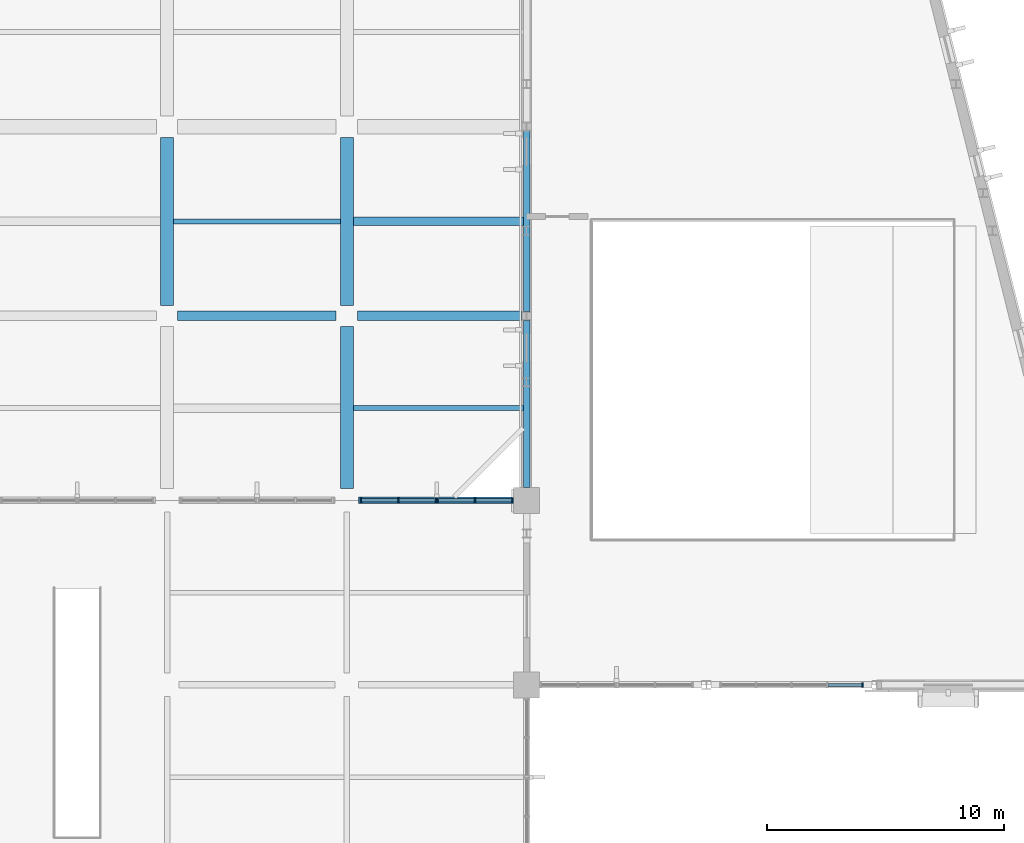
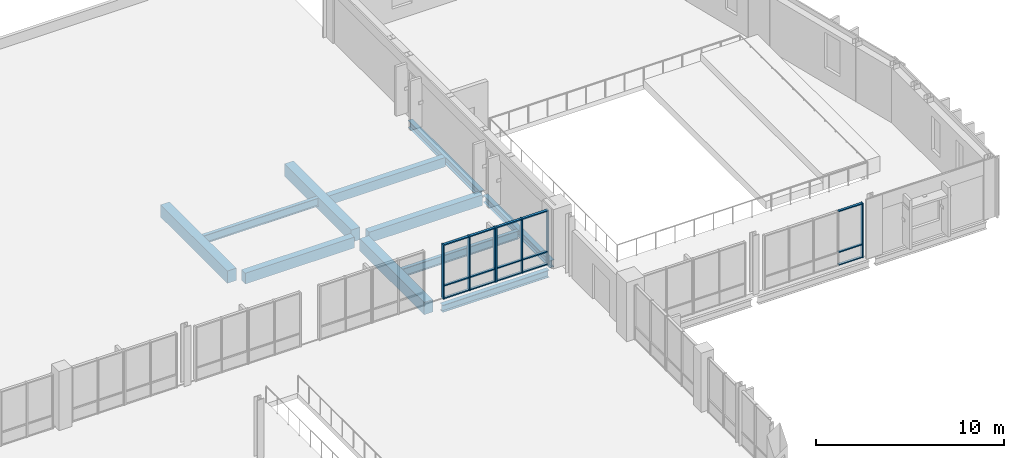
# One storey, part 41 of 85: 22 members, 11 beams, 3 elements without a shape of their own.
"""IFC4 building model written with IfcOpenShell, lengths in metres."""

from ifc_helpers import new_model, si_unit, direction, frame, origin, origin_2d, place, context, subcontext, project, spatial, rectangle, i_section, extrude, material, material_profile, profile_set, type_object, element, aggregate, save


model = new_model("IFC4")

# Units and contexts
model_context = context("Model", 3, precision=1e-05, world=origin(), true_north=direction((0.0, 1.0)))
body_context = subcontext(model_context, "Body", "Model", "MODEL_VIEW")
ifc_project = project(units=[si_unit("LENGTHUNIT", "METRE"), si_unit("AREAUNIT", "SQUARE_METRE"), si_unit("VOLUMEUNIT", "CUBIC_METRE"), si_unit("PLANEANGLEUNIT", "RADIAN"), si_unit("MASSUNIT", "GRAM", prefix="KILO")], contexts=[model_context])

# Site, building, storey
site_placement = place(None, origin())
site = spatial("IfcSite", under=ifc_project, at=site_placement, CompositionType="ELEMENT")
building_placement = place(site_placement, origin())
building = spatial("IfcBuilding", under=site, at=building_placement, Name="Vervanel Yard Central Library", CompositionType="ELEMENT")
storey_placement = place(building_placement, frame((0.0, 0.0, 5.10009765625)))
storey = spatial("IfcBuildingStorey", under=building, at=storey_placement, Name="L01", CompositionType="ELEMENT", Elevation=5.10009765625)

# Beams
ifc_material_1 = material(Name="Concrete C40/50", Category="concrete")
ifc_material_profile_1 = material_profile(ifc_material_1, rectangle(XDim=0.39990234375, YDim=0.699951171875, at=origin_2d()), Name="RC 400x700", Category="concrete")
ifc_profile_set_1 = profile_set([ifc_material_profile_1], Name="Concrete C40/50")
beam_type_1 = type_object("IfcBeamType", Name="Concrete Perimeter Spandrel 400x700", PredefinedType="SPANDREL", material=ifc_profile_set_1)
beam_1_placement = place(storey_placement, frame((131.25, 90.0, -0.60498046875), z_axis=(1.0, 0.0, 0.0), x_axis=(0.0, 1.0, 0.0)))
element("IfcBeam", 1, at=beam_1_placement, inside=storey, type_object=beam_type_1, Name="L01 Girder SP-01 Y=90.0 X=130.8-138.4", PredefinedType="SPANDREL", context=body_context, shape_type="SweptSolid", body=[
    extrude(rectangle(XDim=0.39990234375, YDim=0.699951171875, at=origin_2d()), origin(), (0.0, 0.0, 1.0), 6.699951171875),
])
beam_2_placement = place(storey_placement, frame((138.85009765625, 90.0, -0.60498046875), z_axis=(1.0, 0.0, 0.0), x_axis=(0.0, 1.0, 0.0)))
element("IfcBeam", 2, at=beam_2_placement, inside=storey, type_object=beam_type_1, Name="L01 Girder SP-01 Y=90.0 X=138.4-146.0", PredefinedType="SPANDREL", context=body_context, shape_type="SweptSolid", body=[
    extrude(rectangle(XDim=0.39990234375, YDim=0.699951171875, at=origin_2d()), origin(), (0.0, 0.0, 1.0), 6.951904296875),
])
ifc_material_profile_2 = material_profile(ifc_material_1, rectangle(XDim=0.550048828125, YDim=0.800048828125, at=origin_2d()), Name="RC 550x800", Category="concrete")
ifc_profile_set_2 = profile_set([ifc_material_profile_2], Name="Concrete C40/50")
beam_type_2 = type_object("IfcBeamType", Name="Concrete Primary Girder 550x800", PredefinedType="BEAM", material=ifc_profile_set_2)
beam_3_placement = place(storey_placement, frame((130.800048828125, 90.449951171875, -0.655029296875), z_axis=(0.0, 1.0, 0.0), x_axis=(-1.0, 0.0, 0.0)))
element("IfcBeam", 3, at=beam_3_placement, inside=storey, type_object=beam_type_2, Name="L01 Girder CB-02 X=130.8 Y=90.0-98.0", PredefinedType="BEAM", context=body_context, shape_type="SweptSolid", body=[
    extrude(rectangle(XDim=0.550048828125, YDim=0.800048828125, at=origin_2d()), origin(), (0.0, 0.0, 1.0), 7.10009765625),
])
beam_4_placement = place(storey_placement, frame((138.39990234375, 82.699951171875, -0.655029296875), z_axis=(0.0, 1.0, 0.0), x_axis=(-1.0, 0.0, 0.0)))
element("IfcBeam", 4, at=beam_4_placement, inside=storey, type_object=beam_type_2, Name="L01 Girder CB-02 X=138.4 Y=82.2-90.0", PredefinedType="BEAM", context=body_context, shape_type="SweptSolid", body=[
    extrude(rectangle(XDim=0.550048828125, YDim=0.800048828125, at=origin_2d()), origin(), (0.0, 0.0, 1.0), 6.85009765625),
])
beam_5_placement = place(storey_placement, frame((138.39990234375, 90.449951171875, -0.655029296875), z_axis=(0.0, 1.0, 0.0), x_axis=(-1.0, 0.0, 0.0)))
element("IfcBeam", 5, at=beam_5_placement, inside=storey, type_object=beam_type_2, Name="L01 Girder CB-02 X=138.4 Y=90.0-98.0", PredefinedType="BEAM", context=body_context, shape_type="SweptSolid", body=[
    extrude(rectangle(XDim=0.550048828125, YDim=0.800048828125, at=origin_2d()), origin(), (0.0, 0.0, 1.0), 7.10009765625),
])
ifc_material_profile_3 = material_profile(ifc_material_1, rectangle(XDim=0.35009765625, YDim=0.60009765625, at=origin_2d()), Name="RC 350x600", Category="concrete")
ifc_profile_set_3 = profile_set([ifc_material_profile_3], Name="Concrete C40/50")
beam_type_3 = type_object("IfcBeamType", Name="Concrete Secondary Joist 350x600", PredefinedType="JOIST", material=ifc_profile_set_3)
beam_6_placement = place(storey_placement, frame((138.675048828125, 94.0, -0.59521484375), z_axis=(1.0, 0.0, 0.0), x_axis=(0.0, 1.0, 0.0)))
element("IfcBeam", 6, at=beam_6_placement, inside=storey, type_object=beam_type_3, Name="L01 Floor Joist CJ-01 Y=94.00 X=138.4-146.0", PredefinedType="JOIST", context=body_context, shape_type="SweptSolid", body=[
    extrude(rectangle(XDim=0.35009765625, YDim=0.60009765625, at=origin_2d()), origin(), (0.0, 0.0, 1.0), 7.183837890625),
])

# Curtain wall, members
ifc_material_2 = material(Name="Thermally broken anodized aluminium 6063-T6", Category="aluminium")
curtain_wall_type_1 = type_object("IfcCurtainWallType", Name="Auditorium Foyer Curtain Wall", PredefinedType="NOTDEFINED", material=ifc_material_2)
curtain_wall_1_placement = place(storey_placement, origin())
curtain_wall_1 = element("IfcCurtainWall", 7, at=curtain_wall_1_placement, inside=storey, type_object=curtain_wall_type_1, Name="L01 Auditorium Foyer Curtain Wall CWR-L01-153", PredefinedType="NOTDEFINED")
ifc_material_profile_4 = material_profile(ifc_material_2, rectangle(XDim=0.06494140625, YDim=0.18994140625, at=origin_2d()), Name="ALU 65x190", Category="aluminium")
ifc_profile_set_4 = profile_set([ifc_material_profile_4], Name="Thermally broken anodized aluminium 6063-T6")
member_type_1 = type_object("IfcMemberType", Name="Curtain Wall Primary Mullion 65x190", PredefinedType="MULLION", material=ifc_profile_set_4)
member_1_placement = place(storey_placement, frame((160.20751953125, 74.39990234375, 0.0), z_axis=(0.0, 0.0, 1.0), x_axis=(1.0, 0.0, 0.0)))
member_1 = element("IfcMember", 8, at=member_1_placement, type_object=member_type_1, Name="CWR-L01-153 Mullion 5", PredefinedType="MULLION", context=body_context, shape_type="SweptSolid", body=[
    extrude(rectangle(XDim=0.06494140625, YDim=0.18994140625, at=origin_2d()), origin(), (0.0, 0.0, 1.0), 3.52978515625),
])
ifc_material_profile_5 = material_profile(ifc_material_2, rectangle(XDim=0.06494140625, YDim=0.139892578125, at=origin_2d()), Name="ALU 65x140", Category="aluminium")
ifc_profile_set_5 = profile_set([ifc_material_profile_5], Name="Thermally broken anodized aluminium 6063-T6")
member_type_2 = type_object("IfcMemberType", Name="Curtain Wall Transom 65x140", PredefinedType="NOTDEFINED", material=ifc_profile_set_5)
member_2_placement = place(storey_placement, frame((158.736328125, 74.39990234375, 0.032470703125), z_axis=(1.0, 0.0, 0.0), x_axis=(0.0, 0.0, 1.0)))
member_2 = element("IfcMember", 9, at=member_2_placement, type_object=member_type_2, Name="CWR-L01-153 Transom B4-T1", ObjectType="TRANSOM", PredefinedType="USERDEFINED", context=body_context, shape_type="SweptSolid", body=[
    extrude(rectangle(XDim=0.06494140625, YDim=0.139892578125, at=origin_2d()), origin(), (0.0, 0.0, 1.0), 1.438720703125),
])
member_3_placement = place(storey_placement, frame((158.736328125, 74.39990234375, 0.849853515625), z_axis=(1.0, 0.0, 0.0), x_axis=(0.0, 0.0, 1.0)))
member_3 = element("IfcMember", 10, at=member_3_placement, type_object=member_type_2, Name="CWR-L01-153 Transom B4-T2", ObjectType="TRANSOM", PredefinedType="USERDEFINED", context=body_context, shape_type="SweptSolid", body=[
    extrude(rectangle(XDim=0.06494140625, YDim=0.139892578125, at=origin_2d()), origin(), (0.0, 0.0, 1.0), 1.438720703125),
])
member_4_placement = place(storey_placement, frame((158.736328125, 74.39990234375, 3.497314453125), z_axis=(1.0, 0.0, 0.0), x_axis=(0.0, 0.0, 1.0)))
member_4 = element("IfcMember", 11, at=member_4_placement, type_object=member_type_2, Name="CWR-L01-153 Transom B4-T3", ObjectType="TRANSOM", PredefinedType="USERDEFINED", context=body_context, shape_type="SweptSolid", body=[
    extrude(rectangle(XDim=0.06494140625, YDim=0.139892578125, at=origin_2d()), origin(), (0.0, 0.0, 1.0), 1.438720703125),
])
aggregate(curtain_wall_1, [member_1, member_2, member_3, member_4])

curtain_wall_type_2 = type_object("IfcCurtainWallType", Name="Reading Hall Full-Height Curtain Wall", PredefinedType="NOTDEFINED", material=ifc_material_2)
curtain_wall_2_placement = place(storey_placement, origin())
curtain_wall_2 = element("IfcCurtainWall", 12, at=curtain_wall_2_placement, inside=storey, type_object=curtain_wall_type_2, Name="L01 Reading Hall Full-Height Curtain Wall CWR-L01-094", PredefinedType="NOTDEFINED")
ifc_material_profile_6 = material_profile(ifc_material_2, rectangle(XDim=0.070068359375, YDim=0.219970703125, at=origin_2d()), Name="ALU 70x220", Category="aluminium")
ifc_profile_set_6 = profile_set([ifc_material_profile_6], Name="Thermally broken anodized aluminium 6063-T6")
member_type_3 = type_object("IfcMemberType", Name="Reading Hall Deep Mullion 70x220", PredefinedType="MULLION", material=ifc_profile_set_6)
member_5_placement = place(storey_placement, frame((138.9951171875, 82.199951171875, 0.0), z_axis=(0.0, 0.0, 1.0), x_axis=(1.0, 0.0, 0.0)))
member_5 = element("IfcMember", 13, at=member_5_placement, type_object=member_type_3, Name="CWR-L01-094 Mullion 1", PredefinedType="MULLION", context=body_context, shape_type="SweptSolid", body=[
    extrude(rectangle(XDim=0.070068359375, YDim=0.219970703125, at=origin_2d()), origin(), (0.0, 0.0, 1.0), 3.52978515625),
])
member_6_placement = place(storey_placement, frame((140.580078125, 82.199951171875, 0.0), z_axis=(0.0, 0.0, 1.0), x_axis=(1.0, 0.0, 0.0)))
member_6 = element("IfcMember", 14, at=member_6_placement, type_object=member_type_3, Name="CWR-L01-094 Mullion 2", PredefinedType="MULLION", context=body_context, shape_type="SweptSolid", body=[
    extrude(rectangle(XDim=0.070068359375, YDim=0.219970703125, at=origin_2d()), origin(), (0.0, 0.0, 1.0), 3.52978515625),
])
member_7_placement = place(storey_placement, frame((142.1650390625, 82.199951171875, 0.0), z_axis=(0.0, 0.0, 1.0), x_axis=(1.0, 0.0, 0.0)))
member_7 = element("IfcMember", 15, at=member_7_placement, type_object=member_type_3, Name="CWR-L01-094 Mullion 3", PredefinedType="MULLION", context=body_context, shape_type="SweptSolid", body=[
    extrude(rectangle(XDim=0.070068359375, YDim=0.219970703125, at=origin_2d()), origin(), (0.0, 0.0, 1.0), 3.52978515625),
])

curtain_wall_3_placement = place(storey_placement, origin())
curtain_wall_3 = element("IfcCurtainWall", 16, at=curtain_wall_3_placement, inside=storey, type_object=curtain_wall_type_2, Name="L01 Reading Hall Full-Height Curtain Wall CWR-L01-095", PredefinedType="NOTDEFINED")
member_8_placement = place(storey_placement, frame((142.235107421875, 82.199951171875, 0.0), z_axis=(0.0, 0.0, 1.0), x_axis=(1.0, 0.0, 0.0)))
member_8 = element("IfcMember", 17, at=member_8_placement, type_object=member_type_3, Name="CWR-L01-095 Mullion 1", PredefinedType="MULLION", context=body_context, shape_type="SweptSolid", body=[
    extrude(rectangle(XDim=0.070068359375, YDim=0.219970703125, at=origin_2d()), origin(), (0.0, 0.0, 1.0), 3.52978515625),
])
member_9_placement = place(storey_placement, frame((143.820068359375, 82.199951171875, 0.0), z_axis=(0.0, 0.0, 1.0), x_axis=(1.0, 0.0, 0.0)))
member_9 = element("IfcMember", 18, at=member_9_placement, type_object=member_type_3, Name="CWR-L01-095 Mullion 2", PredefinedType="MULLION", context=body_context, shape_type="SweptSolid", body=[
    extrude(rectangle(XDim=0.070068359375, YDim=0.219970703125, at=origin_2d()), origin(), (0.0, 0.0, 1.0), 3.52978515625),
])
member_10_placement = place(storey_placement, frame((145.405029296875, 82.199951171875, 0.0), z_axis=(0.0, 0.0, 1.0), x_axis=(1.0, 0.0, 0.0)))
member_10 = element("IfcMember", 19, at=member_10_placement, type_object=member_type_3, Name="CWR-L01-095 Mullion 3", PredefinedType="MULLION", context=body_context, shape_type="SweptSolid", body=[
    extrude(rectangle(XDim=0.070068359375, YDim=0.219970703125, at=origin_2d()), origin(), (0.0, 0.0, 1.0), 3.52978515625),
])

# Member
ifc_material_profile_7 = material_profile(ifc_material_2, rectangle(XDim=0.070068359375, YDim=0.14990234375, at=origin_2d()), Name="ALU 70x150", Category="aluminium")
ifc_profile_set_7 = profile_set([ifc_material_profile_7], Name="Thermally broken anodized aluminium 6063-T6")
member_type_4 = type_object("IfcMemberType", Name="Reading Hall Deep Transom 70x150", PredefinedType="NOTDEFINED", material=ifc_profile_set_7)
member_11_placement = place(storey_placement, frame((139.030029296875, 82.199951171875, 0.034912109375), z_axis=(1.0, 0.0, 0.0), x_axis=(0.0, 0.0, 1.0)))
member_11 = element("IfcMember", 20, at=member_11_placement, type_object=member_type_4, Name="CWR-L01-094 Transom B1-T1", ObjectType="TRANSOM", PredefinedType="USERDEFINED", context=body_context, shape_type="SweptSolid", body=[
    extrude(rectangle(XDim=0.070068359375, YDim=0.14990234375, at=origin_2d()), origin(), (0.0, 0.0, 1.0), 1.514892578125),
])

member_12_placement = place(storey_placement, frame((139.030029296875, 82.199951171875, 0.849853515625), z_axis=(1.0, 0.0, 0.0), x_axis=(0.0, 0.0, 1.0)))
member_12 = element("IfcMember", 21, at=member_12_placement, type_object=member_type_4, Name="CWR-L01-094 Transom B1-T2", ObjectType="TRANSOM", PredefinedType="USERDEFINED", context=body_context, shape_type="SweptSolid", body=[
    extrude(rectangle(XDim=0.070068359375, YDim=0.14990234375, at=origin_2d()), origin(), (0.0, 0.0, 1.0), 1.514892578125),
])

member_13_placement = place(storey_placement, frame((139.030029296875, 82.199951171875, 3.494873046875), z_axis=(1.0, 0.0, 0.0), x_axis=(0.0, 0.0, 1.0)))
member_13 = element("IfcMember", 22, at=member_13_placement, type_object=member_type_4, Name="CWR-L01-094 Transom B1-T3", ObjectType="TRANSOM", PredefinedType="USERDEFINED", context=body_context, shape_type="SweptSolid", body=[
    extrude(rectangle(XDim=0.070068359375, YDim=0.14990234375, at=origin_2d()), origin(), (0.0, 0.0, 1.0), 1.514892578125),
])

member_14_placement = place(storey_placement, frame((140.614990234375, 82.199951171875, 0.034912109375), z_axis=(1.0, 0.0, 0.0), x_axis=(0.0, 0.0, 1.0)))
member_14 = element("IfcMember", 23, at=member_14_placement, type_object=member_type_4, Name="CWR-L01-094 Transom B2-T1", ObjectType="TRANSOM", PredefinedType="USERDEFINED", context=body_context, shape_type="SweptSolid", body=[
    extrude(rectangle(XDim=0.070068359375, YDim=0.14990234375, at=origin_2d()), origin(), (0.0, 0.0, 1.0), 1.514892578125),
])

member_15_placement = place(storey_placement, frame((140.614990234375, 82.199951171875, 0.849853515625), z_axis=(1.0, 0.0, 0.0), x_axis=(0.0, 0.0, 1.0)))
member_15 = element("IfcMember", 24, at=member_15_placement, type_object=member_type_4, Name="CWR-L01-094 Transom B2-T2", ObjectType="TRANSOM", PredefinedType="USERDEFINED", context=body_context, shape_type="SweptSolid", body=[
    extrude(rectangle(XDim=0.070068359375, YDim=0.14990234375, at=origin_2d()), origin(), (0.0, 0.0, 1.0), 1.514892578125),
])

member_16_placement = place(storey_placement, frame((140.614990234375, 82.199951171875, 3.494873046875), z_axis=(1.0, 0.0, 0.0), x_axis=(0.0, 0.0, 1.0)))
member_16 = element("IfcMember", 25, at=member_16_placement, type_object=member_type_4, Name="CWR-L01-094 Transom B2-T3", ObjectType="TRANSOM", PredefinedType="USERDEFINED", context=body_context, shape_type="SweptSolid", body=[
    extrude(rectangle(XDim=0.070068359375, YDim=0.14990234375, at=origin_2d()), origin(), (0.0, 0.0, 1.0), 1.514892578125),
])

aggregate(curtain_wall_2, [member_5, member_6, member_7, member_11, member_12, member_13, member_14, member_15, member_16])

member_17_placement = place(storey_placement, frame((142.27001953125, 82.199951171875, 0.034912109375), z_axis=(1.0, 0.0, 0.0), x_axis=(0.0, 0.0, 1.0)))
member_17 = element("IfcMember", 26, at=member_17_placement, type_object=member_type_4, Name="CWR-L01-095 Transom B1-T1", ObjectType="TRANSOM", PredefinedType="USERDEFINED", context=body_context, shape_type="SweptSolid", body=[
    extrude(rectangle(XDim=0.070068359375, YDim=0.14990234375, at=origin_2d()), origin(), (0.0, 0.0, 1.0), 1.514892578125),
])

member_18_placement = place(storey_placement, frame((142.27001953125, 82.199951171875, 0.849853515625), z_axis=(1.0, 0.0, 0.0), x_axis=(0.0, 0.0, 1.0)))
member_18 = element("IfcMember", 27, at=member_18_placement, type_object=member_type_4, Name="CWR-L01-095 Transom B1-T2", ObjectType="TRANSOM", PredefinedType="USERDEFINED", context=body_context, shape_type="SweptSolid", body=[
    extrude(rectangle(XDim=0.070068359375, YDim=0.14990234375, at=origin_2d()), origin(), (0.0, 0.0, 1.0), 1.514892578125),
])

member_19_placement = place(storey_placement, frame((142.27001953125, 82.199951171875, 3.494873046875), z_axis=(1.0, 0.0, 0.0), x_axis=(0.0, 0.0, 1.0)))
member_19 = element("IfcMember", 28, at=member_19_placement, type_object=member_type_4, Name="CWR-L01-095 Transom B1-T3", ObjectType="TRANSOM", PredefinedType="USERDEFINED", context=body_context, shape_type="SweptSolid", body=[
    extrude(rectangle(XDim=0.070068359375, YDim=0.14990234375, at=origin_2d()), origin(), (0.0, 0.0, 1.0), 1.514892578125),
])

member_20_placement = place(storey_placement, frame((143.85498046875, 82.199951171875, 0.034912109375), z_axis=(1.0, 0.0, 0.0), x_axis=(0.0, 0.0, 1.0)))
member_20 = element("IfcMember", 29, at=member_20_placement, type_object=member_type_4, Name="CWR-L01-095 Transom B2-T1", ObjectType="TRANSOM", PredefinedType="USERDEFINED", context=body_context, shape_type="SweptSolid", body=[
    extrude(rectangle(XDim=0.070068359375, YDim=0.14990234375, at=origin_2d()), origin(), (0.0, 0.0, 1.0), 1.51513671875),
])

member_21_placement = place(storey_placement, frame((143.85498046875, 82.199951171875, 0.849853515625), z_axis=(1.0, 0.0, 0.0), x_axis=(0.0, 0.0, 1.0)))
member_21 = element("IfcMember", 30, at=member_21_placement, type_object=member_type_4, Name="CWR-L01-095 Transom B2-T2", ObjectType="TRANSOM", PredefinedType="USERDEFINED", context=body_context, shape_type="SweptSolid", body=[
    extrude(rectangle(XDim=0.070068359375, YDim=0.14990234375, at=origin_2d()), origin(), (0.0, 0.0, 1.0), 1.51513671875),
])

member_22_placement = place(storey_placement, frame((143.85498046875, 82.199951171875, 3.494873046875), z_axis=(1.0, 0.0, 0.0), x_axis=(0.0, 0.0, 1.0)))
member_22 = element("IfcMember", 31, at=member_22_placement, type_object=member_type_4, Name="CWR-L01-095 Transom B2-T3", ObjectType="TRANSOM", PredefinedType="USERDEFINED", context=body_context, shape_type="SweptSolid", body=[
    extrude(rectangle(XDim=0.070068359375, YDim=0.14990234375, at=origin_2d()), origin(), (0.0, 0.0, 1.0), 1.51513671875),
])

aggregate(curtain_wall_3, [member_8, member_9, member_10, member_17, member_18, member_19, member_20, member_21, member_22])

# Beams
ifc_material_3 = material(Name="Steel ASTM A992 Grade 50", Category="steel")
ifc_material_profile_8 = material_profile(ifc_material_3, i_section(OverallWidth=0.281982421875, OverallDepth=0.46728515625, WebThickness=0.01220703125, FlangeThickness=0.01953125, at=origin_2d()), Name="W18X86", Category="steel")
ifc_profile_set_8 = profile_set([ifc_material_profile_8], Name="Steel ASTM A992 Grade 50")
beam_type_4 = type_object("IfcBeamType", Name="Steel Spandrel Beam W18X86", PredefinedType="SPANDREL", material=ifc_profile_set_8)
beam_7_placement = place(storey_placement, frame((138.89990234375, 82.199951171875, -0.558837890625), z_axis=(1.0, 0.0, 0.0), x_axis=(0.0, 1.0, 0.0)))
element("IfcBeam", 32, at=beam_7_placement, inside=storey, type_object=beam_type_4, Name="L01 Girder SP-02 Y=82.2 X=138.4-146.0", PredefinedType="SPANDREL", context=body_context, shape_type="SweptSolid", body=[
    extrude(i_section(OverallWidth=0.281982421875, OverallDepth=0.46728515625, WebThickness=0.01220703125, FlangeThickness=0.01953125, at=origin_2d()), origin(), (0.0, 0.0, 1.0), 6.550048828125),
])
beam_8_placement = place(storey_placement, frame((146.0, 82.75, -0.52880859375), z_axis=(0.0, 1.0, 0.0), x_axis=(-1.0, 0.0, 0.0)))
element("IfcBeam", 33, at=beam_8_placement, inside=storey, type_object=beam_type_4, Name="L01 Girder SP-02 X=146.0 Y=82.2-90.0", PredefinedType="SPANDREL", context=body_context, shape_type="SweptSolid", body=[
    extrude(i_section(OverallWidth=0.281982421875, OverallDepth=0.46728515625, WebThickness=0.01220703125, FlangeThickness=0.01953125, at=origin_2d()), origin(), (0.0, 0.0, 1.0), 7.0595703125),
])
beam_9_placement = place(storey_placement, frame((146.0, 90.1904296875, -0.52880859375), z_axis=(0.0, 1.0, 0.0), x_axis=(-1.0, 0.0, 0.0)))
element("IfcBeam", 34, at=beam_9_placement, inside=storey, type_object=beam_type_4, Name="L01 Girder SP-02 X=146.0 Y=90.0-98.0", PredefinedType="SPANDREL", context=body_context, shape_type="SweptSolid", body=[
    extrude(i_section(OverallWidth=0.281982421875, OverallDepth=0.46728515625, WebThickness=0.01220703125, FlangeThickness=0.01953125, at=origin_2d()), origin(), (0.0, 0.0, 1.0), 7.619140625),
])
ifc_material_profile_9 = material_profile(ifc_material_3, i_section(OverallWidth=0.2099609375, OverallDepth=0.535888671875, WebThickness=0.010986328125, FlangeThickness=0.017333984375, at=origin_2d()), Name="W21X68", Category="steel")
ifc_profile_set_9 = profile_set([ifc_material_profile_9], Name="Steel ASTM A992 Grade 50")
beam_type_5 = type_object("IfcBeamType", Name="Steel Stack Floor Joist W21X68", PredefinedType="JOIST", material=ifc_profile_set_9)
beam_10_placement = place(storey_placement, frame((131.074951171875, 94.0, -0.52294921875), z_axis=(1.0, 0.0, 0.0), x_axis=(0.0, 1.0, 0.0)))
element("IfcBeam", 35, at=beam_10_placement, inside=storey, type_object=beam_type_5, Name="L01 Floor Joist SJ-04 Y=94.00 X=130.8-138.4", PredefinedType="JOIST", context=body_context, shape_type="SweptSolid", body=[
    extrude(i_section(OverallWidth=0.2099609375, OverallDepth=0.535888671875, WebThickness=0.010986328125, FlangeThickness=0.017333984375, at=origin_2d()), origin(), (0.0, 0.0, 1.0), 7.050048828125),
])
beam_11_placement = place(storey_placement, frame((138.675048828125, 86.10009765625, -0.56298828125), z_axis=(1.0, 0.0, 0.0), x_axis=(0.0, 1.0, 0.0)))
element("IfcBeam", 36, at=beam_11_placement, inside=storey, type_object=beam_type_5, Name="L01 Floor Joist SJ-04 Y=86.10 X=138.4-146.0", PredefinedType="JOIST", context=body_context, shape_type="SweptSolid", body=[
    extrude(i_section(OverallWidth=0.2099609375, OverallDepth=0.535888671875, WebThickness=0.010986328125, FlangeThickness=0.017333984375, at=origin_2d()), origin(), (0.0, 0.0, 1.0), 7.183837890625),
])

save(model, "model.ifc")
